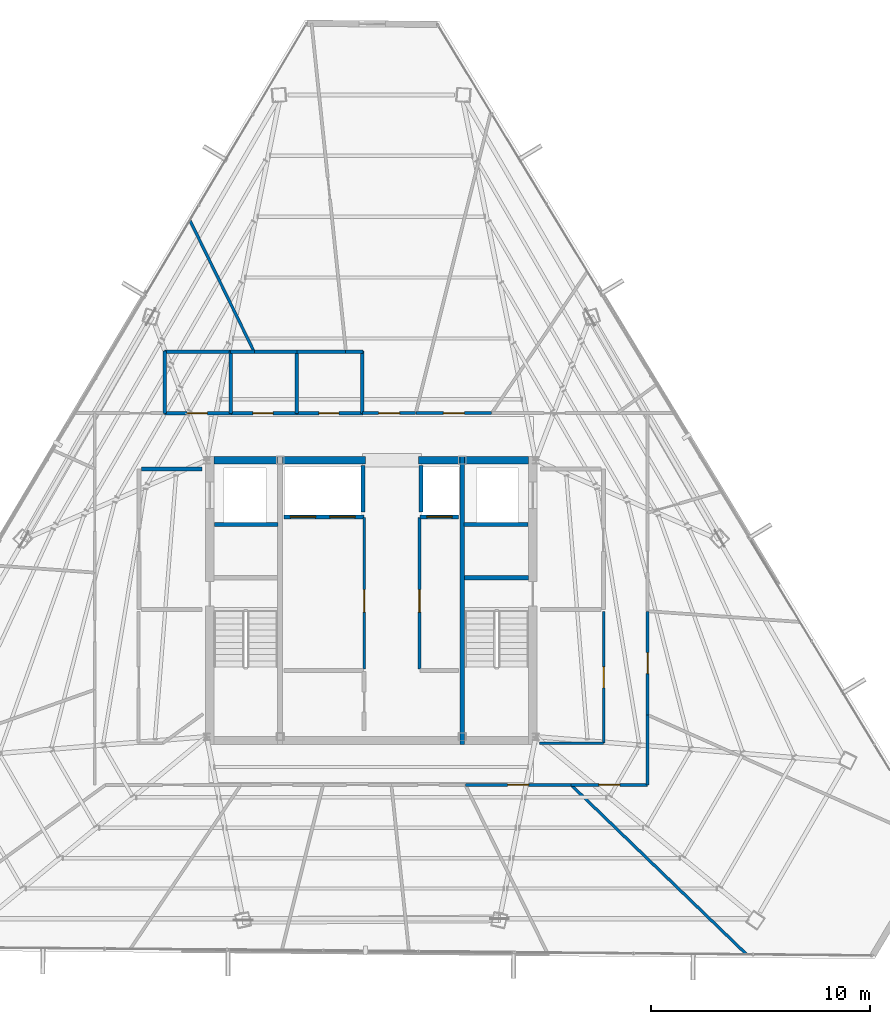
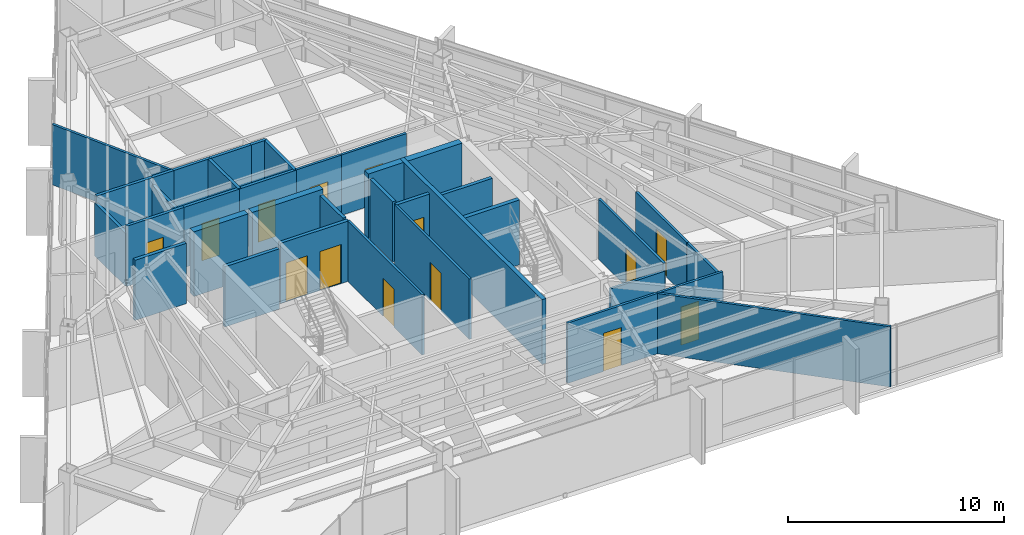
# One storey, part 41 of 45: 37 walls, 14 doors, 14 openings.
"""IFC4 building model written with IfcOpenShell, lengths in metres."""

from ifc_helpers import new_model, si_unit, direction, frame, frame_2d, origin, place, context, subcontext, project, spatial, rectangle, extrude, material, layer, layer_set, type_object, element, fill, save


model = new_model("IFC4")

# Units and contexts
model_context = context("Model", 3, precision=1e-05, world=origin(), true_north=direction((0.0, 1.0)))
body_context = subcontext(model_context, "Body", "Model", "MODEL_VIEW")
ifc_project = project(units=[si_unit("LENGTHUNIT", "METRE"), si_unit("AREAUNIT", "SQUARE_METRE"), si_unit("VOLUMEUNIT", "CUBIC_METRE"), si_unit("PLANEANGLEUNIT", "RADIAN"), si_unit("MASSUNIT", "GRAM", prefix="KILO")], contexts=[model_context])

# Site, building, storey
site_placement = place(None, origin())
site = spatial("IfcSite", under=ifc_project, at=site_placement, CompositionType="ELEMENT")
building_placement = place(site_placement, origin())
building = spatial("IfcBuilding", under=site, at=building_placement, Name="Caelisora Broadcast Tower", CompositionType="ELEMENT")
storey_placement = place(building_placement, frame((0.0, 0.0, 240.800048828125)))
storey = spatial("IfcBuildingStorey", under=building, at=storey_placement, Name="L63", CompositionType="ELEMENT", Elevation=240.800048828125)

# Walls
ifc_material_1 = material(Name="Concrete 40 MPa (AS 3600 N40)", Category="concrete")
ifc_layer_1 = layer(ifc_material_1, 0.35009765625, Name="Concrete 40 MPa (AS 3600 N40)")
ifc_layer_set_1 = layer_set([ifc_layer_1], Name="Concrete 40 MPa (AS 3600 N40)")
wall_type_1 = type_object("IfcWallType", Name="CW6", PredefinedType="SHEAR", material=ifc_layer_set_1)
wall_1_placement = place(storey_placement, frame((30.840087890625, 30.0, 0.0), z_axis=(0.0, 0.0, 1.0), x_axis=(1.0, 0.0, 0.0)))
element("IfcWall", 1, at=wall_1_placement, inside=storey, type_object=wall_type_1, Name="L63 core shear wall CW6", PredefinedType="SHEAR", context=body_context, shape_type="SweptSolid", body=[
    extrude(rectangle(XDim=2.89990234375, YDim=0.35009765625, at=frame_2d((1.449951171875, 0.0))), origin(), (0.0, 0.0, 1.0), 3.64990234375),
])
wall_2_placement = place(storey_placement, frame((33.9599609375, 30.0, 0.0), z_axis=(0.0, 0.0, 1.0), x_axis=(1.0, 0.0, 0.0)))
element("IfcWall", 2, at=wall_2_placement, inside=storey, type_object=wall_type_1, Name="L63 core shear wall CW6", PredefinedType="SHEAR", context=body_context, shape_type="SweptSolid", body=[
    extrude(rectangle(XDim=3.780029296875, YDim=0.35009765625, at=frame_2d((1.89013671875, 0.0))), origin(), (0.0, 0.0, 1.0), 3.64990234375),
])
wall_3_placement = place(storey_placement, frame((40.159912109375, 30.0, 0.0), z_axis=(0.0, 0.0, 1.0), x_axis=(1.0, 0.0, 0.0)))
element("IfcWall", 3, at=wall_3_placement, inside=storey, type_object=wall_type_1, Name="L63 core shear wall CW6", PredefinedType="SHEAR", context=body_context, shape_type="SweptSolid", body=[
    extrude(rectangle(XDim=1.880126953125, YDim=0.35009765625, at=frame_2d((0.93994140625, 0.0))), origin(), (0.0, 0.0, 1.0), 3.64990234375),
])
wall_4_placement = place(storey_placement, frame((42.260009765625, 30.0, 0.0), z_axis=(0.0, 0.0, 1.0), x_axis=(1.0, 0.0, 0.0)))
element("IfcWall", 4, at=wall_4_placement, inside=storey, type_object=wall_type_1, Name="L63 core shear wall CW6", PredefinedType="SHEAR", context=body_context, shape_type="SweptSolid", body=[
    extrude(rectangle(XDim=2.89990234375, YDim=0.35009765625, at=frame_2d((1.449951171875, 0.0))), origin(), (0.0, 0.0, 1.0), 3.64990234375),
])
ifc_material_2 = material(Name="Concrete 50 MPa (AS 3600 S50)", Category="concrete")
ifc_layer_2 = layer(ifc_material_2, 0.219970703125, Name="Concrete 50 MPa (AS 3600 S50)")
ifc_layer_set_2 = layer_set([ifc_layer_2], Name="Concrete 50 MPa (AS 3600 S50)")
wall_type_2 = type_object("IfcWallType", Name="CW7", PredefinedType="SHEAR", material=ifc_layer_set_2)
wall_5_placement = place(storey_placement, frame((42.14990234375, 17.050048828125, 0.0), z_axis=(0.0, 0.0, 1.0), x_axis=(0.0, 1.0, 0.0)))
element("IfcWall", 5, at=wall_5_placement, inside=storey, type_object=wall_type_2, Name="L63 core shear wall CW7", PredefinedType="SHEAR", context=body_context, shape_type="SweptSolid", body=[
    extrude(rectangle(XDim=13.125, YDim=0.219970703125, at=frame_2d((6.5625, 0.0))), origin(), (0.0, 0.0, 1.0), 3.64990234375),
])
wall_6_placement = place(storey_placement, frame((42.260009765625, 24.639892578125, 0.0), z_axis=(0.0, 0.0, 1.0), x_axis=(1.0, 0.0, 0.0)))
element("IfcWall", 6, at=wall_6_placement, inside=storey, type_object=wall_type_2, Name="L63 core shear wall CW7", PredefinedType="SHEAR", context=body_context, shape_type="SweptSolid", body=[
    extrude(rectangle(XDim=2.89990234375, YDim=0.219970703125, at=frame_2d((1.449951171875, 0.0))), origin(), (0.0, 0.0, 1.0), 3.64990234375),
])

# Wall, openings, doors
ifc_material_3 = material(Name="Fire-Rated Gypsum Shaft and Compartment Wall", Category="gypsum")
ifc_layer_3 = layer(ifc_material_3, 0.179931640625, Name="Fire-Rated Gypsum Shaft and Compartment Wall")
ifc_layer_set_3 = layer_set([ifc_layer_3], Name="Fire-Rated Gypsum Shaft and Compartment Wall")
wall_type_3 = type_object("IfcWallType", Name="PW2", PredefinedType="PARTITIONING", material=ifc_layer_set_3)
wall_7_placement = place(storey_placement, frame((34.02001953125, 27.419921875, 0.0), z_axis=(0.0, 0.0, 1.0), x_axis=(1.0, 0.0, 0.0)))
wall_7 = element("IfcWall", 7, at=wall_7_placement, inside=storey, type_object=wall_type_3, Name="L63 fire compartment wall PW2", PredefinedType="PARTITIONING", context=body_context, shape_type="SweptSolid", body=[
    extrude(rectangle(XDim=3.659912109375, YDim=0.179931640625, at=frame_2d((1.830078125, 0.0))), origin(), (0.0, 0.0, 1.0), 3.39990234375),
])
opening_1_placement = place(wall_7_placement, frame((0.300048828125, 0.0, 0.0)))
opening_1 = element("IfcOpeningElement", 8, at=opening_1_placement, cuts=wall_7, Name="Opening LD02", PredefinedType="OPENING", context=body_context, shape_type="SweptSolid", body=[
    extrude(rectangle(XDim=1.14990234375, YDim=2.199951171875, at=frame_2d((0.574951171875, 1.10009765625))), frame((0.0, 0.10205078125, 0.0), z_axis=(0.0, -1.0, 0.0), x_axis=(1.0, 0.0, 0.0)), (0.0, 0.0, 1.0), 0.203857421875),
])
opening_2_placement = place(wall_7_placement, frame((2.10009765625, 0.0, 0.0)))
opening_2 = element("IfcOpeningElement", 9, at=opening_2_placement, cuts=wall_7, Name="Opening LD02", PredefinedType="OPENING", context=body_context, shape_type="SweptSolid", body=[
    extrude(rectangle(XDim=1.14990234375, YDim=2.199951171875, at=frame_2d((0.574951171875, 1.10009765625))), frame((0.0, 0.10205078125, 0.0), z_axis=(0.0, -1.0, 0.0), x_axis=(1.0, 0.0, 0.0)), (0.0, 0.0, 1.0), 0.203857421875),
])
ifc_material_4 = material(Name="High-Speed Express Lift Sliding Landing Door", Category="steel")
door_type_1 = type_object("IfcDoorType", Name="LD02", OperationType="NOTDEFINED", PredefinedType="DOOR", material=ifc_material_4)
door_1_placement = place(opening_1_placement, origin())
door_1 = element("IfcDoor", 10, at=door_1_placement, inside=storey, type_object=door_type_1, Name="L63 door LD02 (L63-LD-PLH1)", OperationType="SLIDING_TO_RIGHT", OverallHeight=2.199951171875, OverallWidth=1.14990234375, PredefinedType="DOOR", context=body_context, shape_type="SweptSolid", body=[
    extrude(rectangle(XDim=1.14990234375, YDim=2.199951171875, at=frame_2d((0.574951171875, 1.10009765625))), frame((0.0, 0.02490234375, 0.0), z_axis=(0.0, -1.0, 0.0), x_axis=(1.0, 0.0, 0.0)), (0.0, 0.0, 1.0), 0.050048828125),
])
fill(opening_1, door_1)
door_2_placement = place(opening_2_placement, origin())
door_2 = element("IfcDoor", 11, at=door_2_placement, inside=storey, type_object=door_type_1, Name="L63 door LD02 (L63-LD-PLH2)", OperationType="SLIDING_TO_LEFT", OverallHeight=2.199951171875, OverallWidth=1.14990234375, PredefinedType="DOOR", context=body_context, shape_type="SweptSolid", body=[
    extrude(rectangle(XDim=1.14990234375, YDim=2.199951171875, at=frame_2d((0.574951171875, 1.10009765625))), frame((0.0, 0.02490234375, 0.0), z_axis=(0.0, -1.0, 0.0), x_axis=(1.0, 0.0, 0.0)), (0.0, 0.0, 1.0), 0.050048828125),
])
fill(opening_2, door_2)

# Wall, opening, door
wall_8_placement = place(storey_placement, frame((40.219970703125, 27.419921875, 0.0), z_axis=(0.0, 0.0, 1.0), x_axis=(1.0, 0.0, 0.0)))
wall_8 = element("IfcWall", 12, at=wall_8_placement, inside=storey, type_object=wall_type_3, Name="L63 fire compartment wall PW2", PredefinedType="PARTITIONING", context=body_context, shape_type="SweptSolid", body=[
    extrude(rectangle(XDim=1.760009765625, YDim=0.179931640625, at=frame_2d((0.8798828125, 0.0))), origin(), (0.0, 0.0, 1.0), 3.39990234375),
])
opening_3_placement = place(wall_8_placement, frame((0.320068359375, 0.0, 0.0)))
opening_3 = element("IfcOpeningElement", 13, at=opening_3_placement, cuts=wall_8, Name="Opening LD02", PredefinedType="OPENING", context=body_context, shape_type="SweptSolid", body=[
    extrude(rectangle(XDim=1.14990234375, YDim=2.199951171875, at=frame_2d((0.574951171875, 1.10009765625))), frame((0.0, 0.10205078125, 0.0), z_axis=(0.0, -1.0, 0.0), x_axis=(1.0, 0.0, 0.0)), (0.0, 0.0, 1.0), 0.203857421875),
])
door_3_placement = place(opening_3_placement, origin())
door_3 = element("IfcDoor", 14, at=door_3_placement, inside=storey, type_object=door_type_1, Name="L63 door LD02 (L63-LD-PLH3)", OperationType="SLIDING_TO_RIGHT", OverallHeight=2.199951171875, OverallWidth=1.14990234375, PredefinedType="DOOR", context=body_context, shape_type="SweptSolid", body=[
    extrude(rectangle(XDim=1.14990234375, YDim=2.199951171875, at=frame_2d((0.574951171875, 1.10009765625))), frame((0.0, 0.02490234375, 0.0), z_axis=(0.0, -1.0, 0.0), x_axis=(1.0, 0.0, 0.0)), (0.0, 0.0, 1.0), 0.050048828125),
])
fill(opening_3, door_3)

# Walls
for number, where, z_axis, x_axis, name in (
    (15, (37.6201171875, 27.639892578125, 0.0), (0.0, 0.0, 1.0), (0.0, 1.0, 0.0), "L63 fire compartment wall PW2"),
    (16, (40.280029296875, 27.639892578125, 0.0), (0.0, 0.0, 1.0), (0.0, 1.0, 0.0), "L63 fire compartment wall PW2"),
):
    element("IfcWall", number, at=place(storey_placement, frame(where, z_axis=z_axis, x_axis=x_axis)), inside=storey, type_object=wall_type_3, Name=name, PredefinedType="PARTITIONING", context=body_context, shape_type="SweptSolid", body=[
        extrude(rectangle(XDim=2.110107421875, YDim=0.179931640625, at=frame_2d((1.05517578125, 0.0))), origin(), (0.0, 0.0, 1.0), 3.39990234375),
    ])
wall_9_placement = place(storey_placement, frame((27.52001953125, 29.60009765625, 0.0), z_axis=(0.0, 0.0, 1.0), x_axis=(1.0, 0.0, 0.0)))
element("IfcWall", 17, at=wall_9_placement, inside=storey, type_object=wall_type_3, Name="L63 fire compartment wall PW2", PredefinedType="PARTITIONING", context=body_context, shape_type="SweptSolid", body=[
    extrude(rectangle(XDim=2.760009765625, YDim=0.179931640625, at=frame_2d((1.3798828125, 0.0))), origin(), (0.0, 0.0, 1.0), 3.39990234375),
])
for number, where, z_axis, x_axis, name in (
    (18, (30.860107421875, 27.070068359375, 0.0), (0.0, 0.0, 1.0), (1.0, 0.0, 0.0), "L63 fire compartment wall PW2"),
    (19, (42.239990234375, 27.070068359375, 0.0), (0.0, 0.0, 1.0), (1.0, 0.0, 0.0), "L63 fire compartment wall PW2"),
):
    element("IfcWall", number, at=place(storey_placement, frame(where, z_axis=z_axis, x_axis=x_axis)), inside=storey, type_object=wall_type_3, Name=name, PredefinedType="PARTITIONING", context=body_context, shape_type="SweptSolid", body=[
        extrude(rectangle(XDim=2.89990234375, YDim=0.179931640625, at=frame_2d((1.449951171875, 0.0))), origin(), (0.0, 0.0, 1.0), 3.39990234375),
    ])

# Wall, opening, door
ifc_material_5 = material(Name="Acoustic Steel-Stud Plasterboard Partition", Category="gypsum")
ifc_layer_4 = layer(ifc_material_5, 0.1298828125, Name="Acoustic Steel-Stud Plasterboard Partition")
ifc_layer_set_4 = layer_set([ifc_layer_4], Name="Acoustic Steel-Stud Plasterboard Partition")
wall_type_4 = type_object("IfcWallType", Name="PW3", PredefinedType="PARTITIONING", material=ifc_layer_set_4)
wall_10_placement = place(storey_placement, frame((37.679931640625, 20.47998046875, 0.0), z_axis=(0.0, 0.0, 1.0), x_axis=(0.0, 1.0, 0.0)))
wall_10 = element("IfcWall", 20, at=wall_10_placement, inside=storey, type_object=wall_type_4, Name="L63 internal partition PW3", PredefinedType="PARTITIONING", context=body_context, shape_type="SweptSolid", body=[
    extrude(rectangle(XDim=6.89990234375, YDim=0.1298828125, at=frame_2d((3.449951171875, 0.0))), origin(), (0.0, 0.0, 1.0), 3.39990234375),
])
opening_4_placement = place(wall_10_placement, frame((2.60009765625, 0.0, 0.0)))
opening_4 = element("IfcOpeningElement", 21, at=opening_4_placement, cuts=wall_10, Name="Opening D02", PredefinedType="OPENING", context=body_context, shape_type="SweptSolid", body=[
    extrude(rectangle(XDim=1.02001953125, YDim=2.14990234375, at=frame_2d((0.510009765625, 1.074951171875))), frame((0.0, 0.076904296875, 0.0), z_axis=(0.0, -1.0, 0.0), x_axis=(1.0, 0.0, 0.0)), (0.0, 0.0, 1.0), 0.15380859375),
])
ifc_material_6 = material(Name="Solid-Core Timber Archive Suite Door", Category="wood")
door_type_2 = type_object("IfcDoorType", Name="D02", OperationType="NOTDEFINED", PredefinedType="DOOR", material=ifc_material_6)
door_4_placement = place(opening_4_placement, origin())
door_4 = element("IfcDoor", 22, at=door_4_placement, inside=storey, type_object=door_type_2, Name="L63 door D02 (L63-DR-P11D1)", OperationType="SINGLE_SWING_RIGHT", OverallHeight=2.14990234375, OverallWidth=1.02001953125, PredefinedType="DOOR", context=body_context, shape_type="SweptSolid", body=[
    extrude(rectangle(XDim=1.02001953125, YDim=2.14990234375, at=frame_2d((0.510009765625, 1.074951171875))), frame((0.0, 0.02490234375, 0.0), z_axis=(0.0, -1.0, 0.0), x_axis=(1.0, 0.0, 0.0)), (0.0, 0.0, 1.0), 0.050048828125),
])
fill(opening_4, door_4)

wall_11_placement = place(storey_placement, frame((40.199951171875, 20.47998046875, 0.0), z_axis=(0.0, 0.0, 1.0), x_axis=(0.0, 1.0, 0.0)))
wall_11 = element("IfcWall", 23, at=wall_11_placement, inside=storey, type_object=wall_type_4, Name="L63 internal partition PW3", PredefinedType="PARTITIONING", context=body_context, shape_type="SweptSolid", body=[
    extrude(rectangle(XDim=6.89990234375, YDim=0.1298828125, at=frame_2d((3.449951171875, 0.0))), origin(), (0.0, 0.0, 1.0), 3.39990234375),
])
opening_5_placement = place(wall_11_placement, frame((2.60009765625, 0.0, 0.0)))
opening_5 = element("IfcOpeningElement", 24, at=opening_5_placement, cuts=wall_11, Name="Opening D02", PredefinedType="OPENING", context=body_context, shape_type="SweptSolid", body=[
    extrude(rectangle(XDim=1.02001953125, YDim=2.14990234375, at=frame_2d((0.510009765625, 1.074951171875))), frame((0.0, 0.076904296875, 0.0), z_axis=(0.0, -1.0, 0.0), x_axis=(1.0, 0.0, 0.0)), (0.0, 0.0, 1.0), 0.15380859375),
])
door_5_placement = place(opening_5_placement, origin())
door_5 = element("IfcDoor", 25, at=door_5_placement, inside=storey, type_object=door_type_2, Name="L63 door D02 (L63-DR-P12D1)", OperationType="SINGLE_SWING_LEFT", OverallHeight=2.14990234375, OverallWidth=1.02001953125, PredefinedType="DOOR", context=body_context, shape_type="SweptSolid", body=[
    extrude(rectangle(XDim=1.02001953125, YDim=2.14990234375, at=frame_2d((0.510009765625, 1.074951171875))), frame((0.0, 0.02490234375, 0.0), z_axis=(0.0, -1.0, 0.0), x_axis=(1.0, 0.0, 0.0)), (0.0, 0.0, 1.0), 0.050048828125),
])
fill(opening_5, door_5)

# Walls
wall_12_placement = place(storey_placement, frame((47.114013671875, 15.197021484375, 0.0), z_axis=(0.0, 0.0, 1.0), x_axis=(0.719370843008, -0.694626223397, 0.0)))
element("IfcWall", 26, at=wall_12_placement, inside=storey, type_object=wall_type_4, Name="L63 internal partition PW3", PredefinedType="PARTITIONING", context=body_context, shape_type="SweptSolid", body=[
    extrude(rectangle(XDim=11.12939453125, YDim=0.1298828125, at=frame_2d((5.564697265625, 0.0))), origin(), (0.0, 0.0, 1.0), 3.39990234375),
])
wall_13_placement = place(storey_placement, frame((29.730712890625, 40.9462890625, 0.0), z_axis=(0.0, 0.0, 1.0), x_axis=(0.438935657352, -0.898518496585, 0.0)))
element("IfcWall", 27, at=wall_13_placement, inside=storey, type_object=wall_type_4, Name="L63 internal partition PW3", PredefinedType="PARTITIONING", context=body_context, shape_type="SweptSolid", body=[
    extrude(rectangle(XDim=6.6689453125, YDim=0.1298828125, at=frame_2d((3.33447265625, 0.0))), origin(), (0.0, 0.0, 1.0), 3.39990234375),
])

# Wall, opening, door
wall_14_placement = place(storey_placement, frame((48.60009765625, 17.10498046875, 0.0), z_axis=(0.0, 0.0, 1.0), x_axis=(0.0, 1.0, 0.0)))
wall_14 = element("IfcWall", 28, at=wall_14_placement, inside=storey, type_object=wall_type_4, Name="L63 internal partition PW3", PredefinedType="PARTITIONING", context=body_context, shape_type="SweptSolid", body=[
    extrude(rectangle(XDim=6.0, YDim=0.1298828125, at=frame_2d((3.0, 0.0))), origin(), (0.0, 0.0, 1.0), 3.39990234375),
])
opening_6_placement = place(wall_14_placement, frame((2.52001953125, 0.0, 0.0)))
opening_6 = element("IfcOpeningElement", 29, at=opening_6_placement, cuts=wall_14, Name="Opening D01", PredefinedType="OPENING", context=body_context, shape_type="SweptSolid", body=[
    extrude(rectangle(XDim=0.9599609375, YDim=2.14990234375, at=frame_2d((0.47998046875, 1.074951171875))), frame((0.0, 0.076904296875, 0.0), z_axis=(0.0, -1.0, 0.0), x_axis=(1.0, 0.0, 0.0)), (0.0, 0.0, 1.0), 0.15380859375),
])
ifc_material_7 = material(Name="Solid-Core Timber Acoustic Office Door", Category="wood")
door_type_3 = type_object("IfcDoorType", Name="D01", OperationType="NOTDEFINED", PredefinedType="DOOR", material=ifc_material_7)
door_6_placement = place(opening_6_placement, origin())
door_6 = element("IfcDoor", 30, at=door_6_placement, inside=storey, type_object=door_type_3, Name="L63 door D01 (L63-DR-P43D1)", OperationType="SINGLE_SWING_LEFT", OverallHeight=2.14990234375, OverallWidth=0.9599609375, PredefinedType="DOOR", context=body_context, shape_type="SweptSolid", body=[
    extrude(rectangle(XDim=0.9599609375, YDim=2.14990234375, at=frame_2d((0.47998046875, 1.074951171875))), frame((0.0, 0.02490234375, 0.0), z_axis=(0.0, -1.0, 0.0), x_axis=(1.0, 0.0, 0.0)), (0.0, 0.0, 1.0), 0.050048828125),
])
fill(opening_6, door_6)

wall_15_placement = place(storey_placement, frame((42.294921875, 15.199951171875, 0.0), z_axis=(0.0, 0.0, 1.0), x_axis=(1.0, 0.0, 0.0)))
wall_15 = element("IfcWall", 31, at=wall_15_placement, inside=storey, type_object=wall_type_4, Name="L63 internal partition PW3", PredefinedType="PARTITIONING", context=body_context, shape_type="SweptSolid", body=[
    extrude(rectangle(XDim=4.81005859375, YDim=0.1298828125, at=frame_2d((2.405029296875, 0.0))), origin(), (0.0, 0.0, 1.0), 3.39990234375),
])
opening_7_placement = place(wall_15_placement, frame((1.925048828125, 0.0, 0.0)))
opening_7 = element("IfcOpeningElement", 32, at=opening_7_placement, cuts=wall_15, Name="Opening D01", PredefinedType="OPENING", context=body_context, shape_type="SweptSolid", body=[
    extrude(rectangle(XDim=0.9599609375, YDim=2.14990234375, at=frame_2d((0.47998046875, 1.074951171875))), frame((0.0, 0.076904296875, 0.0), z_axis=(0.0, -1.0, 0.0), x_axis=(1.0, 0.0, 0.0)), (0.0, 0.0, 1.0), 0.15380859375),
])
door_7_placement = place(opening_7_placement, origin())
door_7 = element("IfcDoor", 33, at=door_7_placement, inside=storey, type_object=door_type_3, Name="L63 door D01 (L63-DR-P47D1)", OperationType="SINGLE_SWING_RIGHT", OverallHeight=2.14990234375, OverallWidth=0.9599609375, PredefinedType="DOOR", context=body_context, shape_type="SweptSolid", body=[
    extrude(rectangle(XDim=0.9599609375, YDim=2.14990234375, at=frame_2d((0.47998046875, 1.074951171875))), frame((0.0, 0.02490234375, 0.0), z_axis=(0.0, -1.0, 0.0), x_axis=(1.0, 0.0, 0.0)), (0.0, 0.0, 1.0), 0.050048828125),
])
fill(opening_7, door_7)

wall_16_placement = place(storey_placement, frame((50.60009765625, 18.39501953125, 0.0), z_axis=(0.0, 0.0, 1.0), x_axis=(0.0, 1.0, 0.0)))
wall_16 = element("IfcWall", 34, at=wall_16_placement, inside=storey, type_object=wall_type_4, Name="L63 internal partition PW3", PredefinedType="PARTITIONING", context=body_context, shape_type="SweptSolid", body=[
    extrude(rectangle(XDim=4.719970703125, YDim=0.1298828125, at=frame_2d((2.35986328125, 0.0))), origin(), (0.0, 0.0, 1.0), 3.0849609375),
])
opening_8_placement = place(wall_16_placement, frame((1.8798828125, 0.0, 0.0)))
opening_8 = element("IfcOpeningElement", 35, at=opening_8_placement, cuts=wall_16, Name="Opening D01", PredefinedType="OPENING", context=body_context, shape_type="SweptSolid", body=[
    extrude(rectangle(XDim=0.9599609375, YDim=2.14990234375, at=frame_2d((0.47998046875, 1.074951171875))), frame((0.0, 0.076904296875, 0.0), z_axis=(0.0, -1.0, 0.0), x_axis=(1.0, 0.0, 0.0)), (0.0, 0.0, 1.0), 0.15380859375),
])
door_8_placement = place(opening_8_placement, origin())
door_8 = element("IfcDoor", 36, at=door_8_placement, inside=storey, type_object=door_type_3, Name="L63 door D01 (L63-DR-P48D1)", OperationType="SINGLE_SWING_LEFT", OverallHeight=2.14990234375, OverallWidth=0.9599609375, PredefinedType="DOOR", context=body_context, shape_type="SweptSolid", body=[
    extrude(rectangle(XDim=0.9599609375, YDim=2.14990234375, at=frame_2d((0.47998046875, 1.074951171875))), frame((0.0, 0.02490234375, 0.0), z_axis=(0.0, -1.0, 0.0), x_axis=(1.0, 0.0, 0.0)), (0.0, 0.0, 1.0), 0.050048828125),
])
fill(opening_8, door_8)

wall_17_placement = place(storey_placement, frame((47.114990234375, 15.199951171875, 0.0), z_axis=(0.0, 0.0, 1.0), x_axis=(1.0, 0.0, 0.0)))
wall_17 = element("IfcWall", 37, at=wall_17_placement, inside=storey, type_object=wall_type_4, Name="L63 internal partition PW3", PredefinedType="PARTITIONING", context=body_context, shape_type="SweptSolid", body=[
    extrude(rectangle(XDim=3.47998046875, YDim=0.1298828125, at=frame_2d((1.739990234375, 0.0))), origin(), (0.0, 0.0, 1.0), 3.39990234375),
])
opening_9_placement = place(wall_17_placement, frame((1.260009765625, 0.0, 0.0)))
opening_9 = element("IfcOpeningElement", 38, at=opening_9_placement, cuts=wall_17, Name="Opening D01", PredefinedType="OPENING", context=body_context, shape_type="SweptSolid", body=[
    extrude(rectangle(XDim=0.9599609375, YDim=2.14990234375, at=frame_2d((0.47998046875, 1.074951171875))), frame((0.0, 0.076904296875, 0.0), z_axis=(0.0, -1.0, 0.0), x_axis=(1.0, 0.0, 0.0)), (0.0, 0.0, 1.0), 0.15380859375),
])
door_9_placement = place(opening_9_placement, origin())
door_9 = element("IfcDoor", 39, at=door_9_placement, inside=storey, type_object=door_type_3, Name="L63 door D01 (L63-DR-P55D1)", OperationType="SINGLE_SWING_LEFT", OverallHeight=2.14990234375, OverallWidth=0.9599609375, PredefinedType="DOOR", context=body_context, shape_type="SweptSolid", body=[
    extrude(rectangle(XDim=0.9599609375, YDim=2.14990234375, at=frame_2d((0.47998046875, 1.074951171875))), frame((0.0, 0.02490234375, 0.0), z_axis=(0.0, -1.0, 0.0), x_axis=(1.0, 0.0, 0.0)), (0.0, 0.0, 1.0), 0.050048828125),
])
fill(opening_9, door_9)

wall_18_placement = place(storey_placement, frame((40.034912109375, 32.14990234375, 0.0), z_axis=(0.0, 0.0, 1.0), x_axis=(1.0, 0.0, 0.0)))
wall_18 = element("IfcWall", 40, at=wall_18_placement, inside=storey, type_object=wall_type_4, Name="L63 internal partition PW3", PredefinedType="PARTITIONING", context=body_context, shape_type="SweptSolid", body=[
    extrude(rectangle(XDim=3.460205078125, YDim=0.1298828125, at=frame_2d((1.72998046875, 0.0))), origin(), (0.0, 0.0, 1.0), 3.39990234375),
])
opening_10_placement = place(wall_18_placement, frame((1.25, 0.0, 0.0)))
opening_10 = element("IfcOpeningElement", 41, at=opening_10_placement, cuts=wall_18, Name="Opening D01", PredefinedType="OPENING", context=body_context, shape_type="SweptSolid", body=[
    extrude(rectangle(XDim=0.9599609375, YDim=2.14990234375, at=frame_2d((0.47998046875, 1.074951171875))), frame((0.0, 0.076904296875, 0.0), z_axis=(0.0, -1.0, 0.0), x_axis=(1.0, 0.0, 0.0)), (0.0, 0.0, 1.0), 0.15380859375),
])
door_10_placement = place(opening_10_placement, origin())
door_10 = element("IfcDoor", 42, at=door_10_placement, inside=storey, type_object=door_type_3, Name="L63 door D01 (L63-DR-P56D1)", OperationType="SINGLE_SWING_RIGHT", OverallHeight=2.14990234375, OverallWidth=0.9599609375, PredefinedType="DOOR", context=body_context, shape_type="SweptSolid", body=[
    extrude(rectangle(XDim=0.9599609375, YDim=2.14990234375, at=frame_2d((0.47998046875, 1.074951171875))), frame((0.0, 0.02490234375, 0.0), z_axis=(0.0, -1.0, 0.0), x_axis=(1.0, 0.0, 0.0)), (0.0, 0.0, 1.0), 0.050048828125),
])
fill(opening_10, door_10)

# Walls
wall_19_placement = place(storey_placement, frame((50.60009765625, 15.205078125, 0.0), z_axis=(0.0, 0.0, 1.0), x_axis=(0.0, 1.0, 0.0)))
element("IfcWall", 43, at=wall_19_placement, inside=storey, type_object=wall_type_4, Name="L63 internal partition PW3", PredefinedType="PARTITIONING", context=body_context, shape_type="SweptSolid", body=[
    extrude(rectangle(XDim=3.179931640625, YDim=0.1298828125, at=frame_2d((1.58984375, 0.0))), origin(), (0.0, 0.0, 1.0), 3.0849609375),
])
wall_20_placement = place(storey_placement, frame((45.675048828125, 17.10009765625, 0.0), z_axis=(0.0, 0.0, 1.0), x_axis=(1.0, 0.0, 0.0)))
element("IfcWall", 44, at=wall_20_placement, inside=storey, type_object=wall_type_4, Name="L63 internal partition PW3", PredefinedType="PARTITIONING", context=body_context, shape_type="SweptSolid", body=[
    extrude(rectangle(XDim=2.919921875, YDim=0.1298828125, at=frame_2d((1.4599609375, 0.0))), origin(), (0.0, 0.0, 1.0), 2.98486328125),
])

# Wall, opening, door
wall_21_placement = place(storey_placement, frame((37.60498046875, 32.14990234375, 0.0), z_axis=(0.0, 0.0, 1.0), x_axis=(1.0, 0.0, 0.0)))
wall_21 = element("IfcWall", 45, at=wall_21_placement, inside=storey, type_object=wall_type_4, Name="L63 internal partition PW3", PredefinedType="PARTITIONING", context=body_context, shape_type="SweptSolid", body=[
    extrude(rectangle(XDim=2.419921875, YDim=0.1298828125, at=frame_2d((1.2099609375, 0.0))), origin(), (0.0, 0.0, 1.0), 3.39990234375),
])
opening_11_placement = place(wall_21_placement, frame((0.72998046875, 0.0, 0.0)))
opening_11 = element("IfcOpeningElement", 46, at=opening_11_placement, cuts=wall_21, Name="Opening D01", PredefinedType="OPENING", context=body_context, shape_type="SweptSolid", body=[
    extrude(rectangle(XDim=0.9599609375, YDim=2.14990234375, at=frame_2d((0.47998046875, 1.074951171875))), frame((0.0, 0.076904296875, 0.0), z_axis=(0.0, -1.0, 0.0), x_axis=(1.0, 0.0, 0.0)), (0.0, 0.0, 1.0), 0.15380859375),
])
door_11_placement = place(opening_11_placement, origin())
door_11 = element("IfcDoor", 47, at=door_11_placement, inside=storey, type_object=door_type_3, Name="L63 door D01 (L63-DR-P63D1)", OperationType="SINGLE_SWING_RIGHT", OverallHeight=2.14990234375, OverallWidth=0.9599609375, PredefinedType="DOOR", context=body_context, shape_type="SweptSolid", body=[
    extrude(rectangle(XDim=0.9599609375, YDim=2.14990234375, at=frame_2d((0.47998046875, 1.074951171875))), frame((0.0, 0.02490234375, 0.0), z_axis=(0.0, -1.0, 0.0), x_axis=(1.0, 0.0, 0.0)), (0.0, 0.0, 1.0), 0.050048828125),
])
fill(opening_11, door_11)

ifc_material_8 = material(Name="Moisture-Resistant Wet Plumbing Service Wall", Category="gypsum")
ifc_layer_5 = layer(ifc_material_8, 0.159912109375, Name="Moisture-Resistant Wet Plumbing Service Wall")
ifc_layer_set_5 = layer_set([ifc_layer_5], Name="Moisture-Resistant Wet Plumbing Service Wall")
wall_type_5 = type_object("IfcWallType", Name="PW4", PredefinedType="PLUMBINGWALL", material=ifc_layer_set_5)
wall_22_placement = place(storey_placement, frame((28.574951171875, 32.14990234375, 0.0), z_axis=(0.0, 0.0, 1.0), x_axis=(1.0, 0.0, 0.0)))
wall_22 = element("IfcWall", 48, at=wall_22_placement, inside=storey, type_object=wall_type_5, Name="L63 wet plumbing wall PW4", PredefinedType="PLUMBINGWALL", context=body_context, shape_type="SweptSolid", body=[
    extrude(rectangle(XDim=3.050048828125, YDim=0.159912109375, at=frame_2d((1.52490234375, 0.0))), origin(), (0.0, 0.0, 1.0), 3.39990234375),
])
opening_12_placement = place(wall_22_placement, frame((1.034912109375, 0.0, 0.0)))
opening_12 = element("IfcOpeningElement", 49, at=opening_12_placement, cuts=wall_22, Name="Opening D03", PredefinedType="OPENING", context=body_context, shape_type="SweptSolid", body=[
    extrude(rectangle(XDim=0.919921875, YDim=2.10009765625, at=frame_2d((0.4599609375, 1.050048828125))), frame((0.0, 0.092041015625, 0.0), z_axis=(0.0, -1.0, 0.0), x_axis=(1.0, 0.0, 0.0)), (0.0, 0.0, 1.0), 0.183837890625),
])
ifc_material_9 = material(Name="Laminate Moisture-Resistant Amenity WC Door", Category="wood")
door_type_4 = type_object("IfcDoorType", Name="D03", OperationType="NOTDEFINED", PredefinedType="DOOR", material=ifc_material_9)
door_12_placement = place(opening_12_placement, origin())
door_12 = element("IfcDoor", 50, at=door_12_placement, inside=storey, type_object=door_type_4, Name="L63 door D03 (L63-DR-P14D1)", OperationType="SINGLE_SWING_LEFT", OverallHeight=2.10009765625, OverallWidth=0.919921875, PredefinedType="DOOR", context=body_context, shape_type="SweptSolid", body=[
    extrude(rectangle(XDim=0.919921875, YDim=2.10009765625, at=frame_2d((0.4599609375, 1.050048828125))), frame((0.0, 0.02490234375, 0.0), z_axis=(0.0, -1.0, 0.0), x_axis=(1.0, 0.0, 0.0)), (0.0, 0.0, 1.0), 0.050048828125),
])
fill(opening_12, door_12)

wall_23_placement = place(storey_placement, frame((31.574951171875, 32.14990234375, 0.0), z_axis=(0.0, 0.0, 1.0), x_axis=(1.0, 0.0, 0.0)))
wall_23 = element("IfcWall", 51, at=wall_23_placement, inside=storey, type_object=wall_type_5, Name="L63 wet plumbing wall PW4", PredefinedType="PLUMBINGWALL", context=body_context, shape_type="SweptSolid", body=[
    extrude(rectangle(XDim=3.050048828125, YDim=0.159912109375, at=frame_2d((1.52490234375, 0.0))), origin(), (0.0, 0.0, 1.0), 3.39990234375),
])
opening_13_placement = place(wall_23_placement, frame((1.034912109375, 0.0, 0.0)))
opening_13 = element("IfcOpeningElement", 52, at=opening_13_placement, cuts=wall_23, Name="Opening D03", PredefinedType="OPENING", context=body_context, shape_type="SweptSolid", body=[
    extrude(rectangle(XDim=0.919921875, YDim=2.10009765625, at=frame_2d((0.4599609375, 1.050048828125))), frame((0.0, 0.092041015625, 0.0), z_axis=(0.0, -1.0, 0.0), x_axis=(1.0, 0.0, 0.0)), (0.0, 0.0, 1.0), 0.183837890625),
])
door_13_placement = place(opening_13_placement, origin())
door_13 = element("IfcDoor", 53, at=door_13_placement, inside=storey, type_object=door_type_4, Name="L63 door D03 (L63-DR-P15D1)", OperationType="SINGLE_SWING_RIGHT", OverallHeight=2.10009765625, OverallWidth=0.919921875, PredefinedType="DOOR", context=body_context, shape_type="SweptSolid", body=[
    extrude(rectangle(XDim=0.919921875, YDim=2.10009765625, at=frame_2d((0.4599609375, 1.050048828125))), frame((0.0, 0.02490234375, 0.0), z_axis=(0.0, -1.0, 0.0), x_axis=(1.0, 0.0, 0.0)), (0.0, 0.0, 1.0), 0.050048828125),
])
fill(opening_13, door_13)

wall_24_placement = place(storey_placement, frame((34.574951171875, 32.14990234375, 0.0), z_axis=(0.0, 0.0, 1.0), x_axis=(1.0, 0.0, 0.0)))
wall_24 = element("IfcWall", 54, at=wall_24_placement, inside=storey, type_object=wall_type_5, Name="L63 wet plumbing wall PW4", PredefinedType="PLUMBINGWALL", context=body_context, shape_type="SweptSolid", body=[
    extrude(rectangle(XDim=3.050048828125, YDim=0.159912109375, at=frame_2d((1.52490234375, 0.0))), origin(), (0.0, 0.0, 1.0), 3.39990234375),
])
opening_14_placement = place(wall_24_placement, frame((1.034912109375, 0.0, 0.0)))
opening_14 = element("IfcOpeningElement", 55, at=opening_14_placement, cuts=wall_24, Name="Opening D03", PredefinedType="OPENING", context=body_context, shape_type="SweptSolid", body=[
    extrude(rectangle(XDim=0.919921875, YDim=2.10009765625, at=frame_2d((0.4599609375, 1.050048828125))), frame((0.0, 0.092041015625, 0.0), z_axis=(0.0, -1.0, 0.0), x_axis=(1.0, 0.0, 0.0)), (0.0, 0.0, 1.0), 0.183837890625),
])
door_14_placement = place(opening_14_placement, origin())
door_14 = element("IfcDoor", 56, at=door_14_placement, inside=storey, type_object=door_type_4, Name="L63 door D03 (L63-DR-P16D1)", OperationType="SINGLE_SWING_LEFT", OverallHeight=2.10009765625, OverallWidth=0.919921875, PredefinedType="DOOR", context=body_context, shape_type="SweptSolid", body=[
    extrude(rectangle(XDim=0.919921875, YDim=2.10009765625, at=frame_2d((0.4599609375, 1.050048828125))), frame((0.0, 0.02490234375, 0.0), z_axis=(0.0, -1.0, 0.0), x_axis=(1.0, 0.0, 0.0)), (0.0, 0.0, 1.0), 0.050048828125),
])
fill(opening_14, door_14)

# Walls
wall_25_placement = place(storey_placement, frame((28.574951171875, 34.949951171875, 0.0), z_axis=(0.0, 0.0, 1.0), x_axis=(1.0, 0.0, 0.0)))
element("IfcWall", 57, at=wall_25_placement, inside=storey, type_object=wall_type_5, Name="L63 wet plumbing wall PW4", PredefinedType="PLUMBINGWALL", context=body_context, shape_type="SweptSolid", body=[
    extrude(rectangle(XDim=3.050048828125, YDim=0.159912109375, at=frame_2d((1.52490234375, 0.0))), origin(), (0.0, 0.0, 1.0), 3.39990234375),
])
for number, where, z_axis, x_axis, name in (
    (58, (31.60009765625, 32.125, 0.0), (0.0, 0.0, 1.0), (0.0, 1.0, 0.0), "L63 wet plumbing wall PW4"),
    (59, (28.60009765625, 32.125, 0.0), (0.0, 0.0, 1.0), (0.0, 1.0, 0.0), "L63 wet plumbing wall PW4"),
):
    element("IfcWall", number, at=place(storey_placement, frame(where, z_axis=z_axis, x_axis=x_axis)), inside=storey, type_object=wall_type_5, Name=name, PredefinedType="PLUMBINGWALL", context=body_context, shape_type="SweptSolid", body=[
        extrude(rectangle(XDim=2.85009765625, YDim=0.159912109375, at=frame_2d((1.425048828125, 0.0))), origin(), (0.0, 0.0, 1.0), 2.98486328125),
    ])
for number, where, z_axis, x_axis, name in (
    (60, (34.60009765625, 32.125, 0.0), (0.0, 0.0, 1.0), (0.0, 1.0, 0.0), "L63 wet plumbing wall PW4"),
    (61, (37.60009765625, 32.125, 0.0), (0.0, 0.0, 1.0), (0.0, 1.0, 0.0), "L63 wet plumbing wall PW4"),
):
    element("IfcWall", number, at=place(storey_placement, frame(where, z_axis=z_axis, x_axis=x_axis)), inside=storey, type_object=wall_type_5, Name=name, PredefinedType="PLUMBINGWALL", context=body_context, shape_type="SweptSolid", body=[
        extrude(rectangle(XDim=2.85009765625, YDim=0.159912109375, at=frame_2d((1.425048828125, 0.0))), origin(), (0.0, 0.0, 1.0), 3.39990234375),
    ])
wall_26_placement = place(storey_placement, frame((34.574951171875, 34.949951171875, 0.0), z_axis=(0.0, 0.0, 1.0), x_axis=(1.0, 0.0, 0.0)))
element("IfcWall", 62, at=wall_26_placement, inside=storey, type_object=wall_type_5, Name="L63 wet plumbing wall PW4", PredefinedType="PLUMBINGWALL", context=body_context, shape_type="SweptSolid", body=[
    extrude(rectangle(XDim=2.300048828125, YDim=0.159912109375, at=frame_2d((1.14990234375, 0.0))), origin(), (0.0, 0.0, 1.0), 3.39990234375),
])
wall_27_placement = place(storey_placement, frame((32.635009765625, 34.949951171875, 0.0), z_axis=(0.0, 0.0, 1.0), x_axis=(1.0, 0.0, 0.0)))
element("IfcWall", 63, at=wall_27_placement, inside=storey, type_object=wall_type_5, Name="L63 wet plumbing wall PW4", PredefinedType="PLUMBINGWALL", context=body_context, shape_type="SweptSolid", body=[
    extrude(rectangle(XDim=1.989990234375, YDim=0.159912109375, at=frame_2d((0.9951171875, 0.0))), origin(), (0.0, 0.0, 1.0), 3.39990234375),
])
wall_28_placement = place(storey_placement, frame((31.574951171875, 34.949951171875, 0.0), z_axis=(0.0, 0.0, 1.0), x_axis=(1.0, 0.0, 0.0)))
element("IfcWall", 64, at=wall_28_placement, inside=storey, type_object=wall_type_5, Name="L63 wet plumbing wall PW4", PredefinedType="PLUMBINGWALL", context=body_context, shape_type="SweptSolid", body=[
    extrude(rectangle(XDim=1.110107421875, YDim=0.159912109375, at=frame_2d((0.55517578125, 0.0))), origin(), (0.0, 0.0, 1.0), 3.39990234375),
])
wall_29_placement = place(storey_placement, frame((37.625, 34.949951171875, 0.0), z_axis=(0.0, 0.0, 1.0), x_axis=(-1.0, 0.0, 0.0)))
element("IfcWall", 65, at=wall_29_placement, inside=storey, type_object=wall_type_5, Name="L63 wet plumbing wall PW4", PredefinedType="PLUMBINGWALL", context=body_context, shape_type="SweptSolid", body=[
    extrude(rectangle(XDim=0.800048828125, YDim=0.159912109375, at=frame_2d((0.39990234375, 0.0))), origin(), (0.0, 0.0, 1.0), 3.39990234375),
])

save(model, "model.ifc")
